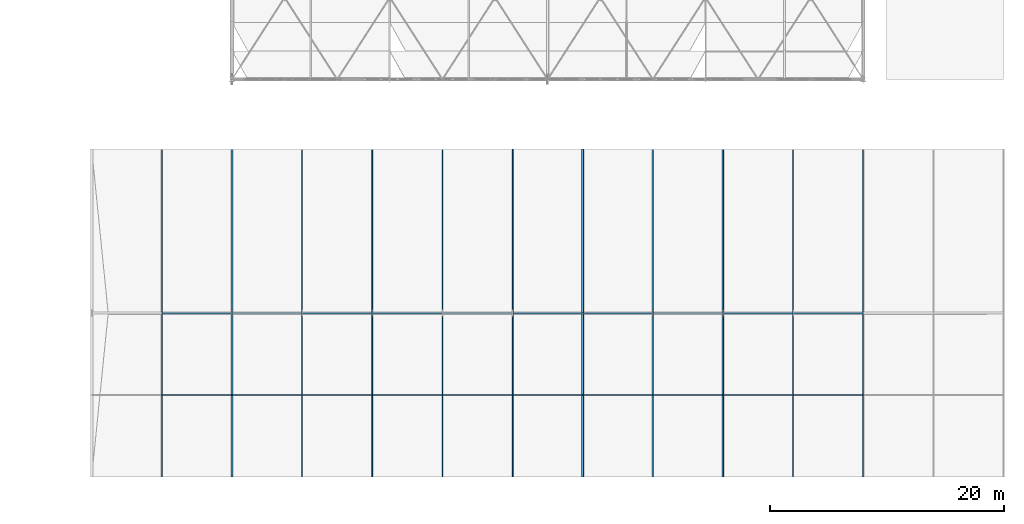
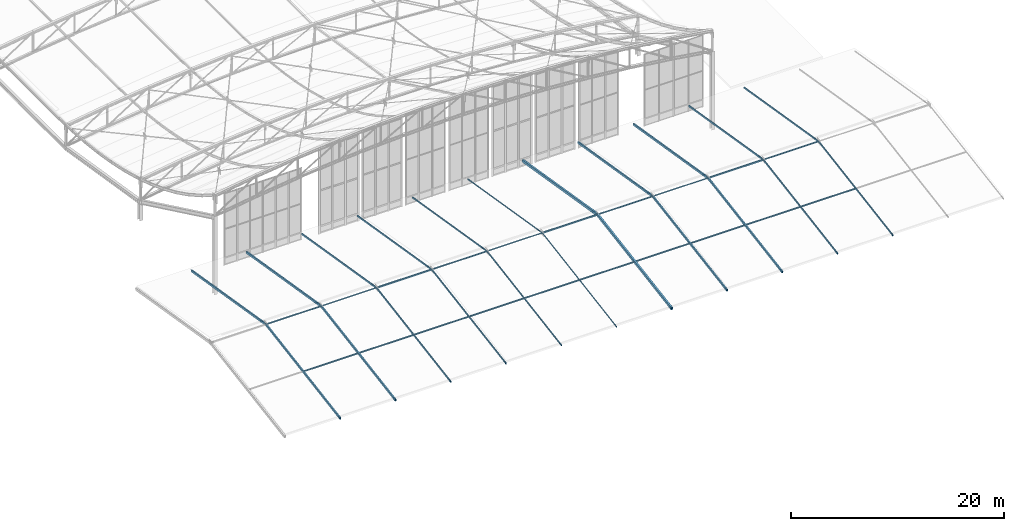
# One storey, part 135 of 262: 42 members.
"""IFC4 building model written with IfcOpenShell, lengths in metres."""

from ifc_helpers import new_model, si_unit, derived_unit, direction, frame, origin, origin_2d, place, context, subcontext, project, spatial, hollow_rectangle, i_section, extrude, material, material_profile, profile_set, type_object, element, save


model = new_model("IFC4")

# Units and contexts
model_context = context("Model", 3, precision=1e-05, world=origin(), true_north=direction((0.0, 1.0)))
body_context = subcontext(model_context, "Body", "Model", "MODEL_VIEW")
ifc_project = project(units=[si_unit("LENGTHUNIT", "METRE"), si_unit("AREAUNIT", "SQUARE_METRE"), si_unit("VOLUMEUNIT", "CUBIC_METRE"), si_unit("PLANEANGLEUNIT", "RADIAN"), si_unit("MASSUNIT", "GRAM", prefix="KILO"), derived_unit("THERMALTRANSMITTANCEUNIT", [(si_unit("POWERUNIT", "WATT"), 1), (si_unit("LENGTHUNIT", "METRE"), -2), (si_unit("THERMODYNAMICTEMPERATUREUNIT", "KELVIN"), -1)])], contexts=[model_context])

# Site, building, storey
site_placement = place(None, origin())
site = spatial("IfcSite", under=ifc_project, at=site_placement, CompositionType="ELEMENT")
building_placement = place(site_placement, origin())
building = spatial("IfcBuilding", under=site, at=building_placement, Name="Almenara Railside Exhibition Hall", CompositionType="ELEMENT")
storey_placement = place(building_placement, frame((0.0, 0.0, 21.699951171875)))
storey = spatial("IfcBuildingStorey", under=building, at=storey_placement, Name="RF", CompositionType="ELEMENT", Elevation=21.699951171875)

# Members
ifc_material = material(Name="Structural steel S355JR", Category="steel")
ifc_material_profile_1 = material_profile(ifc_material, hollow_rectangle(XDim=0.080078125, YDim=0.1201171875, WallThickness=0.0048828125, InnerFilletRadius=0.0048828125, OuterFilletRadius=0.010009765625, at=origin_2d()), Name="RHS 120x80x5")
ifc_profile_set_1 = profile_set([ifc_material_profile_1], Name="Structural steel S355JR")
member_type_1 = type_object("IfcMemberType", Name="Canopy Verge Rafter RHS 120x80x5 S355JR", PredefinedType="RAFTER", material=ifc_profile_set_1)
for number, where, z_axis, x_axis, name in (
    (1, (162.0, 0.0, -1.219970703125), (0.0, 0.986545085566, 0.163489431294), (-1.0, 0.0, 0.0), "MEM-V5R-S-162"),
    (2, (162.0, 28.0, -1.219970703125), (0.0, -0.986545085566, 0.163489431294), (1.0, 0.0, 0.0), "MEM-V5R-N-162"),
):
    element("IfcMember", number, at=place(storey_placement, frame(where, z_axis=z_axis, x_axis=x_axis)), inside=storey, type_object=member_type_1, Name=name, PredefinedType="RAFTER", context=body_context, shape_type="SweptSolid", body=[
        extrude(hollow_rectangle(XDim=0.080078125, YDim=0.1201171875, WallThickness=0.0048828125, InnerFilletRadius=0.0048828125, OuterFilletRadius=0.010009765625, at=origin_2d()), origin(), (0.0, 0.0, 1.0), 14.19091796875),
    ])
ifc_material_profile_2 = material_profile(ifc_material, hollow_rectangle(XDim=0.10009765625, YDim=0.14990234375, WallThickness=0.0048828125, InnerFilletRadius=0.0048828125, OuterFilletRadius=0.010009765625, at=origin_2d()), Name="RHS 150x100x5")
ifc_profile_set_2 = profile_set([ifc_material_profile_2], Name="Structural steel S355JR")
member_type_2 = type_object("IfcMemberType", Name="Concourse Vault Rafter RHS 150x100x5 S355JR", PredefinedType="RAFTER", material=ifc_profile_set_2)
for number, where, z_axis, x_axis, name in (
    (3, (156.0, 0.0, -1.219970703125), (0.0, 0.986545085566, 0.163489431294), (-1.0, 0.0, 0.0), "MEM-V5R-S-156"),
    (4, (156.0, 28.0, -1.219970703125), (0.0, -0.986545085566, 0.163489431294), (1.0, 0.0, 0.0), "MEM-V5R-N-156"),
):
    element("IfcMember", number, at=place(storey_placement, frame(where, z_axis=z_axis, x_axis=x_axis)), inside=storey, type_object=member_type_2, Name=name, PredefinedType="RAFTER", context=body_context, shape_type="SweptSolid", body=[
        extrude(hollow_rectangle(XDim=0.10009765625, YDim=0.14990234375, WallThickness=0.0048828125, InnerFilletRadius=0.0048828125, OuterFilletRadius=0.010009765625, at=origin_2d()), origin(), (0.0, 0.0, 1.0), 14.19091796875),
    ])
ifc_material_profile_3 = material_profile(ifc_material, hollow_rectangle(XDim=0.10009765625, YDim=0.179931640625, WallThickness=0.006103515625, InnerFilletRadius=0.006103515625, OuterFilletRadius=0.011962890625, at=origin_2d()), Name="RHS 180x100x6")
ifc_profile_set_3 = profile_set([ifc_material_profile_3], Name="Structural steel S355JR")
member_type_3 = type_object("IfcMemberType", Name="Cordova Common Rafter RHS 180x100x6 S355JR", PredefinedType="RAFTER", material=ifc_profile_set_3)
for number, where, z_axis, x_axis, name in (
    (5, (150.0, 0.0, -1.219970703125), (0.0, 0.986545085566, 0.163489431294), (-1.0, 0.0, 0.0), "MEM-V5R-S-150"),
    (6, (150.0, 28.0, -1.219970703125), (0.0, -0.986545085566, 0.163489431294), (1.0, 0.0, 0.0), "MEM-V5R-N-150"),
    (7, (192.0, 0.0, -1.219970703125), (0.0, 0.986545085566, 0.163489431294), (-1.0, 0.0, 0.0), "MEM-V5R-S-192"),
    (8, (192.0, 28.0, -1.219970703125), (0.0, -0.986545085566, 0.163489431294), (1.0, 0.0, 0.0), "MEM-V5R-N-192"),
):
    element("IfcMember", number, at=place(storey_placement, frame(where, z_axis=z_axis, x_axis=x_axis)), inside=storey, type_object=member_type_3, Name=name, PredefinedType="RAFTER", context=body_context, shape_type="SweptSolid", body=[
        extrude(hollow_rectangle(XDim=0.10009765625, YDim=0.179931640625, WallThickness=0.006103515625, InnerFilletRadius=0.006103515625, OuterFilletRadius=0.011962890625, at=origin_2d()), origin(), (0.0, 0.0, 1.0), 14.19091796875),
    ])
ifc_material_profile_4 = material_profile(ifc_material, hollow_rectangle(XDim=0.199951171875, YDim=0.300048828125, WallThickness=0.010009765625, InnerFilletRadius=0.010009765625, OuterFilletRadius=0.02001953125, at=origin_2d()), Name="RHS 300x200x10")
ifc_profile_set_4 = profile_set([ifc_material_profile_4], Name="Structural steel S355JR")
member_type_4 = type_object("IfcMemberType", Name="Cordova Primary Hip Rafter RHS 300x200x10 S355JR", PredefinedType="RAFTER", material=ifc_profile_set_4)
for number, where, z_axis, x_axis, name in (
    (9, (168.0, 0.0, -1.219970703125), (0.0, 0.986545085566, 0.163489431294), (-1.0, 0.0, 0.0), "MEM-V5R-S-168"),
    (10, (168.0, 28.0, -1.219970703125), (0.0, -0.986545085566, 0.163489431294), (1.0, 0.0, 0.0), "MEM-V5R-N-168"),
):
    element("IfcMember", number, at=place(storey_placement, frame(where, z_axis=z_axis, x_axis=x_axis)), inside=storey, type_object=member_type_4, Name=name, PredefinedType="RAFTER", context=body_context, shape_type="SweptSolid", body=[
        extrude(hollow_rectangle(XDim=0.199951171875, YDim=0.300048828125, WallThickness=0.010009765625, InnerFilletRadius=0.010009765625, OuterFilletRadius=0.02001953125, at=origin_2d()), origin(), (0.0, 0.0, 1.0), 14.19091796875),
    ])
ifc_material_profile_5 = material_profile(ifc_material, hollow_rectangle(XDim=0.10009765625, YDim=0.10009765625, WallThickness=0.0048828125, InnerFilletRadius=0.0048828125, OuterFilletRadius=0.010009765625, at=origin_2d()), Name="SHS 100x100x5")
ifc_profile_set_5 = profile_set([ifc_material_profile_5], Name="Structural steel S355JR")
member_type_5 = type_object("IfcMemberType", Name="Cordova Ridge Strut SHS 100x100x5 S355JR", PredefinedType="BRACE", material=ifc_profile_set_5)
for number, where, z_axis, x_axis, name in (
    (11, (138.0, 14.0, 1.10009765625), (1.0, 0.0, 0.0), (0.0, 1.0, 0.0), "MEM-V5B-138"),
    (12, (156.0, 14.0, 1.10009765625), (1.0, 0.0, 0.0), (0.0, 1.0, 0.0), "MEM-V5B-156"),
    (13, (174.0, 14.0, 1.10009765625), (1.0, 0.0, 0.0), (0.0, 1.0, 0.0), "MEM-V5B-174"),
):
    element("IfcMember", number, at=place(storey_placement, frame(where, z_axis=z_axis, x_axis=x_axis)), inside=storey, type_object=member_type_5, Name=name, PredefinedType="BRACE", context=body_context, shape_type="SweptSolid", body=[
        extrude(hollow_rectangle(XDim=0.10009765625, YDim=0.10009765625, WallThickness=0.0048828125, InnerFilletRadius=0.0048828125, OuterFilletRadius=0.010009765625, at=origin_2d()), origin(), (0.0, 0.0, 1.0), 6.0),
    ])
ifc_material_profile_6 = material_profile(ifc_material, hollow_rectangle(XDim=0.14990234375, YDim=0.25, WallThickness=0.010009765625, InnerFilletRadius=0.010009765625, OuterFilletRadius=0.02001953125, at=origin_2d()), Name="RHS 250x150x10")
ifc_profile_set_6 = profile_set([ifc_material_profile_6], Name="Structural steel S355JR")
member_type_6 = type_object("IfcMemberType", Name="Cordova Valley Rafter RHS 250x150x10 S355JR", PredefinedType="RAFTER", material=ifc_profile_set_6)
for number, where, z_axis, x_axis, name in (
    (14, (132.0, 0.0, -1.219970703125), (0.0, 0.986545085566, 0.163489431294), (-1.0, 0.0, 0.0), "MEM-V5R-S-132"),
    (15, (132.0, 28.0, -1.219970703125), (0.0, -0.986545085566, 0.163489431294), (1.0, 0.0, 0.0), "MEM-V5R-N-132"),
    (16, (174.0, 0.0, -1.219970703125), (0.0, 0.986545085566, 0.163489431294), (-1.0, 0.0, 0.0), "MEM-V5R-S-174"),
    (17, (174.0, 28.0, -1.219970703125), (0.0, -0.986545085566, 0.163489431294), (1.0, 0.0, 0.0), "MEM-V5R-N-174"),
):
    element("IfcMember", number, at=place(storey_placement, frame(where, z_axis=z_axis, x_axis=x_axis)), inside=storey, type_object=member_type_6, Name=name, PredefinedType="RAFTER", context=body_context, shape_type="SweptSolid", body=[
        extrude(hollow_rectangle(XDim=0.14990234375, YDim=0.25, WallThickness=0.010009765625, InnerFilletRadius=0.010009765625, OuterFilletRadius=0.02001953125, at=origin_2d()), origin(), (0.0, 0.0, 1.0), 14.19091796875),
    ])
ifc_material_profile_7 = material_profile(ifc_material, hollow_rectangle(XDim=0.10009765625, YDim=0.199951171875, WallThickness=0.006103515625, InnerFilletRadius=0.006103515625, OuterFilletRadius=0.011962890625, at=origin_2d()), Name="RHS 200x100x6")
ifc_profile_set_7 = profile_set([ifc_material_profile_7], Name="Structural steel S355JR")
member_type_7 = type_object("IfcMemberType", Name="Cordova Wing Hip Rafter RHS 200x100x6 S355JR", PredefinedType="RAFTER", material=ifc_profile_set_7)
for number, where, z_axis, x_axis, name in (
    (18, (144.0, 0.0, -1.219970703125), (0.0, 0.986545085566, 0.163489431294), (-1.0, 0.0, 0.0), "MEM-V5R-S-144"),
    (19, (144.0, 28.0, -1.219970703125), (0.0, -0.986545085566, 0.163489431294), (1.0, 0.0, 0.0), "MEM-V5R-N-144"),
    (20, (186.0, 0.0, -1.219970703125), (0.0, 0.986545085566, 0.163489431294), (-1.0, 0.0, 0.0), "MEM-V5R-S-186"),
    (21, (186.0, 28.0, -1.219970703125), (0.0, -0.986545085566, 0.163489431294), (1.0, 0.0, 0.0), "MEM-V5R-N-186"),
):
    element("IfcMember", number, at=place(storey_placement, frame(where, z_axis=z_axis, x_axis=x_axis)), inside=storey, type_object=member_type_7, Name=name, PredefinedType="RAFTER", context=body_context, shape_type="SweptSolid", body=[
        extrude(hollow_rectangle(XDim=0.10009765625, YDim=0.199951171875, WallThickness=0.006103515625, InnerFilletRadius=0.006103515625, OuterFilletRadius=0.011962890625, at=origin_2d()), origin(), (0.0, 0.0, 1.0), 14.19091796875),
    ])
ifc_material_profile_8 = material_profile(ifc_material, i_section(OverallWidth=0.08203125, OverallDepth=0.159912109375, WebThickness=0.0048828125, FlangeThickness=0.00732421875, FilletRadius=0.009033203125, at=origin_2d()), Name="IPE 160")
ifc_profile_set_8 = profile_set([ifc_material_profile_8], Name="Structural steel S355JR")
member_type_8 = type_object("IfcMemberType", Name="Cordova Wing Roof Purlin IPE 160 S355JR", PredefinedType="PURLIN", material=ifc_profile_set_8)
for number, where, z_axis, x_axis, name in (
    (22, (132.0, 7.0, -0.06005859375), (1.0, 0.0, 0.0), (0.0, 1.0, 0.0), "MEM-V5P-132"),
    (23, (138.0, 7.0, -0.06005859375), (1.0, 0.0, 0.0), (0.0, 1.0, 0.0), "MEM-V5P-138"),
    (24, (144.0, 7.0, -0.06005859375), (1.0, 0.0, 0.0), (0.0, 1.0, 0.0), "MEM-V5P-144"),
    (25, (150.0, 7.0, -0.06005859375), (1.0, 0.0, 0.0), (0.0, 1.0, 0.0), "MEM-V5P-150"),
    (26, (156.0, 7.0, -0.06005859375), (1.0, 0.0, 0.0), (0.0, 1.0, 0.0), "MEM-V5P-156"),
    (27, (162.0, 7.0, -0.06005859375), (1.0, 0.0, 0.0), (0.0, 1.0, 0.0), "MEM-V5P-162"),
    (28, (168.0, 7.0, -0.06005859375), (1.0, 0.0, 0.0), (0.0, 1.0, 0.0), "MEM-V5P-168"),
    (29, (174.0, 7.0, -0.06005859375), (1.0, 0.0, 0.0), (0.0, 1.0, 0.0), "MEM-V5P-174"),
    (30, (180.0, 7.0, -0.06005859375), (1.0, 0.0, 0.0), (0.0, 1.0, 0.0), "MEM-V5P-180"),
    (31, (186.0, 7.0, -0.06005859375), (1.0, 0.0, 0.0), (0.0, 1.0, 0.0), "MEM-V5P-186"),
):
    element("IfcMember", number, at=place(storey_placement, frame(where, z_axis=z_axis, x_axis=x_axis)), inside=storey, type_object=member_type_8, Name=name, PredefinedType="PURLIN", context=body_context, shape_type="SweptSolid", body=[
        extrude(i_section(OverallWidth=0.08203125, OverallDepth=0.159912109375, WebThickness=0.0048828125, FlangeThickness=0.00732421875, FilletRadius=0.009033203125, at=origin_2d()), origin(), (0.0, 0.0, 1.0), 6.0),
    ])
ifc_material_profile_9 = material_profile(ifc_material, hollow_rectangle(XDim=0.14990234375, YDim=0.14990234375, WallThickness=0.006103515625, InnerFilletRadius=0.006103515625, OuterFilletRadius=0.011962890625, at=origin_2d()), Name="SHS 150x150x6")
ifc_profile_set_9 = profile_set([ifc_material_profile_9], Name="Structural steel S355JR")
member_type_9 = type_object("IfcMemberType", Name="Gable Sway Brace SHS 150x150x6 S355JR", PredefinedType="BRACE", material=ifc_profile_set_9)
for number, where, z_axis, x_axis, name in (
    (32, (144.0, 14.0, 1.10009765625), (1.0, 0.0, 0.0), (0.0, 1.0, 0.0), "MEM-V5B-144"),
    (33, (162.0, 14.0, 1.10009765625), (1.0, 0.0, 0.0), (0.0, 1.0, 0.0), "MEM-V5B-162"),
    (34, (180.0, 14.0, 1.10009765625), (1.0, 0.0, 0.0), (0.0, 1.0, 0.0), "MEM-V5B-180"),
):
    element("IfcMember", number, at=place(storey_placement, frame(where, z_axis=z_axis, x_axis=x_axis)), inside=storey, type_object=member_type_9, Name=name, PredefinedType="BRACE", context=body_context, shape_type="SweptSolid", body=[
        extrude(hollow_rectangle(XDim=0.14990234375, YDim=0.14990234375, WallThickness=0.006103515625, InnerFilletRadius=0.006103515625, OuterFilletRadius=0.011962890625, at=origin_2d()), origin(), (0.0, 0.0, 1.0), 6.0),
    ])
ifc_material_profile_10 = material_profile(ifc_material, hollow_rectangle(XDim=0.1201171875, YDim=0.1201171875, WallThickness=0.0048828125, InnerFilletRadius=0.0048828125, OuterFilletRadius=0.010009765625, at=origin_2d()), Name="SHS 120x120x5")
ifc_profile_set_10 = profile_set([ifc_material_profile_10], Name="Structural steel S355JR")
member_type_10 = type_object("IfcMemberType", Name="Purlin Sag Strut SHS 120x120x5 S355JR", PredefinedType="BRACE", material=ifc_profile_set_10)
for number, where, z_axis, x_axis, name in (
    (35, (132.0, 14.0, 1.10009765625), (1.0, 0.0, 0.0), (0.0, 1.0, 0.0), "MEM-V5B-132"),
    (36, (150.0, 14.0, 1.10009765625), (1.0, 0.0, 0.0), (0.0, 1.0, 0.0), "MEM-V5B-150"),
    (37, (168.0, 14.0, 1.10009765625), (1.0, 0.0, 0.0), (0.0, 1.0, 0.0), "MEM-V5B-168"),
    (38, (186.0, 14.0, 1.10009765625), (1.0, 0.0, 0.0), (0.0, 1.0, 0.0), "MEM-V5B-186"),
):
    element("IfcMember", number, at=place(storey_placement, frame(where, z_axis=z_axis, x_axis=x_axis)), inside=storey, type_object=member_type_10, Name=name, PredefinedType="BRACE", context=body_context, shape_type="SweptSolid", body=[
        extrude(hollow_rectangle(XDim=0.1201171875, YDim=0.1201171875, WallThickness=0.0048828125, InnerFilletRadius=0.0048828125, OuterFilletRadius=0.010009765625, at=origin_2d()), origin(), (0.0, 0.0, 1.0), 6.0),
    ])
ifc_material_profile_11 = material_profile(ifc_material, hollow_rectangle(XDim=0.14990234375, YDim=0.25, WallThickness=0.008056640625, InnerFilletRadius=0.008056640625, OuterFilletRadius=0.01611328125, at=origin_2d()), Name="RHS 250x150x8")
ifc_profile_set_11 = profile_set([ifc_material_profile_11], Name="Structural steel S355JR")
member_type_11 = type_object("IfcMemberType", Name="Scroll Edge Arch Rafter RHS 250x150x8 S355JR", PredefinedType="RAFTER", material=ifc_profile_set_11)
for number, where, z_axis, x_axis, name in (
    (39, (138.0, 0.0, -1.219970703125), (0.0, 0.986545085566, 0.163489431294), (-1.0, 0.0, 0.0), "MEM-V5R-S-138"),
    (40, (138.0, 28.0, -1.219970703125), (0.0, -0.986545085566, 0.163489431294), (1.0, 0.0, 0.0), "MEM-V5R-N-138"),
    (41, (180.0, 0.0, -1.219970703125), (0.0, 0.986545085566, 0.163489431294), (-1.0, 0.0, 0.0), "MEM-V5R-S-180"),
    (42, (180.0, 28.0, -1.219970703125), (0.0, -0.986545085566, 0.163489431294), (1.0, 0.0, 0.0), "MEM-V5R-N-180"),
):
    element("IfcMember", number, at=place(storey_placement, frame(where, z_axis=z_axis, x_axis=x_axis)), inside=storey, type_object=member_type_11, Name=name, PredefinedType="RAFTER", context=body_context, shape_type="SweptSolid", body=[
        extrude(hollow_rectangle(XDim=0.14990234375, YDim=0.25, WallThickness=0.008056640625, InnerFilletRadius=0.008056640625, OuterFilletRadius=0.01611328125, at=origin_2d()), origin(), (0.0, 0.0, 1.0), 14.19091796875),
    ])

save(model, "model.ifc")
